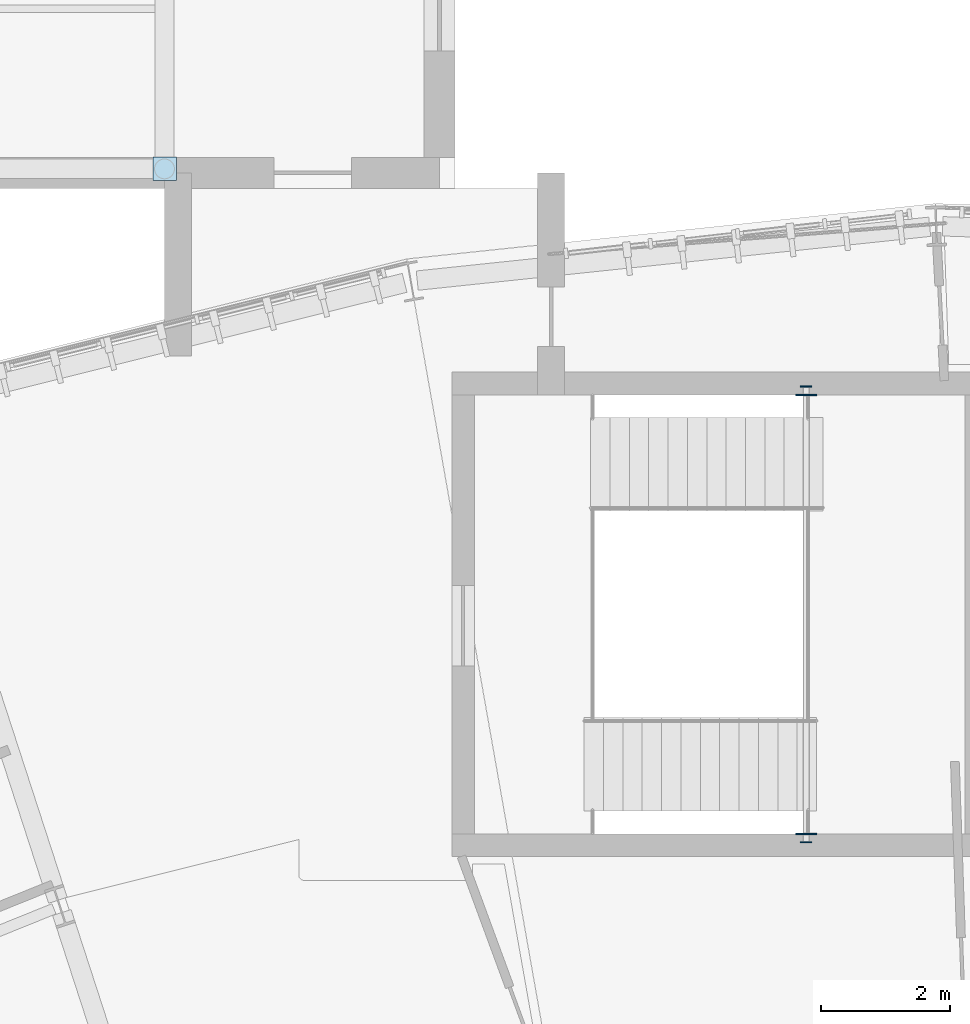
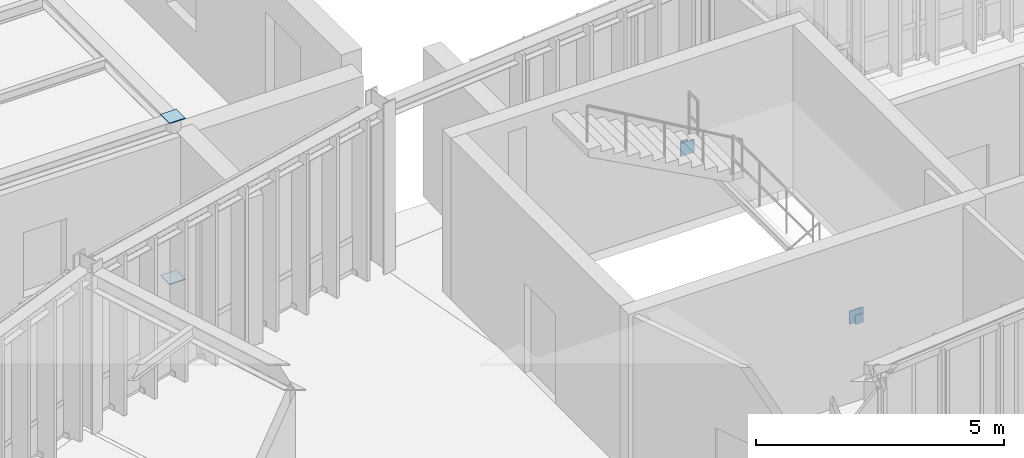
# One storey, part 122 of 148: 6 plates.
"""IFC4 building model written with IfcOpenShell, lengths in metres."""

from ifc_helpers import new_model, si_unit, direction, frame, origin, origin_2d, place, context, subcontext, project, spatial, rectangle, extrude, material, layer, layer_set, type_object, element, save


model = new_model("IFC4")

# Units and contexts
model_context = context("Model", 3, precision=1e-05, world=origin(), true_north=direction((0.0, 1.0)))
body_context = subcontext(model_context, "Body", "Model", "MODEL_VIEW")
ifc_project = project(units=[si_unit("LENGTHUNIT", "METRE"), si_unit("AREAUNIT", "SQUARE_METRE"), si_unit("VOLUMEUNIT", "CUBIC_METRE"), si_unit("PLANEANGLEUNIT", "RADIAN"), si_unit("MASSUNIT", "GRAM", prefix="KILO"), si_unit("THERMODYNAMICTEMPERATUREUNIT", "KELVIN"), si_unit("POWERUNIT", "WATT")], contexts=[model_context])

# Site, building, storey
site_placement = place(None, origin())
site = spatial("IfcSite", under=ifc_project, at=site_placement, CompositionType="ELEMENT")
building_placement = place(site_placement, origin())
building = spatial("IfcBuilding", under=site, at=building_placement, Name="Solvatero Civic Police Headquarters", CompositionType="ELEMENT")
storey_placement = place(building_placement, frame((0.0, 0.0, 5.10009765625)))
storey = spatial("IfcBuildingStorey", under=building, at=storey_placement, Name="L01", CompositionType="ELEMENT", Elevation=5.10009765625)

# Plates
ifc_material = material(Name="Steel S355", Category="steel")
ifc_layer_1 = layer(ifc_material, 0.02001953125)
ifc_layer_set_1 = layer_set([ifc_layer_1], Name="Steel S355")
plate_type_1 = type_object("IfcPlateType", Name="PLT-CAP-20", PredefinedType="SHEET", material=ifc_layer_set_1)
for number, where, z_axis, x_axis, name in (
    (1, (80.0, 85.5, 3.93994140625), (0.0, 0.0, 1.0), (1.0, 0.0, 0.0), "Hollow Section End Cap Plate 0143"),
    (2, (80.0, 85.5, -0.02001953125), (0.0, 0.0, 1.0), (1.0, 0.0, 0.0), "Hollow Section End Cap Plate 0144"),
):
    element("IfcPlate", number, at=place(storey_placement, frame(where, z_axis=z_axis, x_axis=x_axis)), inside=storey, type_object=plate_type_1, Name=name, PredefinedType="SHEET", context=body_context, shape_type="SweptSolid", body=[
        extrude(rectangle(XDim=0.364013671875, YDim=0.364013671875, at=origin_2d()), origin(), (0.0, 0.0, 1.0), 0.02001953125),
    ])
for number, where, z_axis, x_axis, name in (
    (3, (89.93994140625, 75.070068359375, 1.71484375), (0.0, 0.0, 1.0), (1.0, 0.0, 0.0), "Hollow Section Cap Plate 0043"),
    (4, (89.93994140625, 82.1298828125, 1.71484375), (0.0, 0.0, 1.0), (1.0, 0.0, 0.0), "Hollow Section Cap Plate 0044"),
):
    element("IfcPlate", number, at=place(storey_placement, frame(where, z_axis=z_axis, x_axis=x_axis)), inside=storey, type_object=plate_type_1, Name=name, PredefinedType="SHEET", context=body_context, shape_type="SweptSolid", body=[
        extrude(rectangle(XDim=0.179931640625, YDim=0.02001953125, at=origin_2d()), origin(), (0.0, 0.0, 1.0), 0.219970703125),
    ])
ifc_layer_2 = layer(ifc_material, 0.02490234375)
ifc_layer_set_2 = layer_set([ifc_layer_2], Name="Steel S355")
plate_type_2 = type_object("IfcPlateType", Name="PLT-EMB-25", PredefinedType="SHEET", material=ifc_layer_set_2)
for number, where, z_axis, x_axis, name in (
    (5, (89.93994140625, 75.199951171875, 1.6650390625), (0.0, 0.0, 1.0), (1.0, 0.0, 0.0), "Cast-In Shear Wall Embed Plate 0043"),
    (6, (89.93994140625, 82.0, 1.6650390625), (0.0, 0.0, 1.0), (1.0, 0.0, 0.0), "Cast-In Shear Wall Embed Plate 0044"),
):
    element("IfcPlate", number, at=place(storey_placement, frame(where, z_axis=z_axis, x_axis=x_axis)), inside=storey, type_object=plate_type_2, Name=name, PredefinedType="SHEET", context=body_context, shape_type="SweptSolid", body=[
        extrude(rectangle(XDim=0.320068359375, YDim=0.02490234375, at=origin_2d()), origin(), (0.0, 0.0, 1.0), 0.320068359375),
    ])

save(model, "model.ifc")
